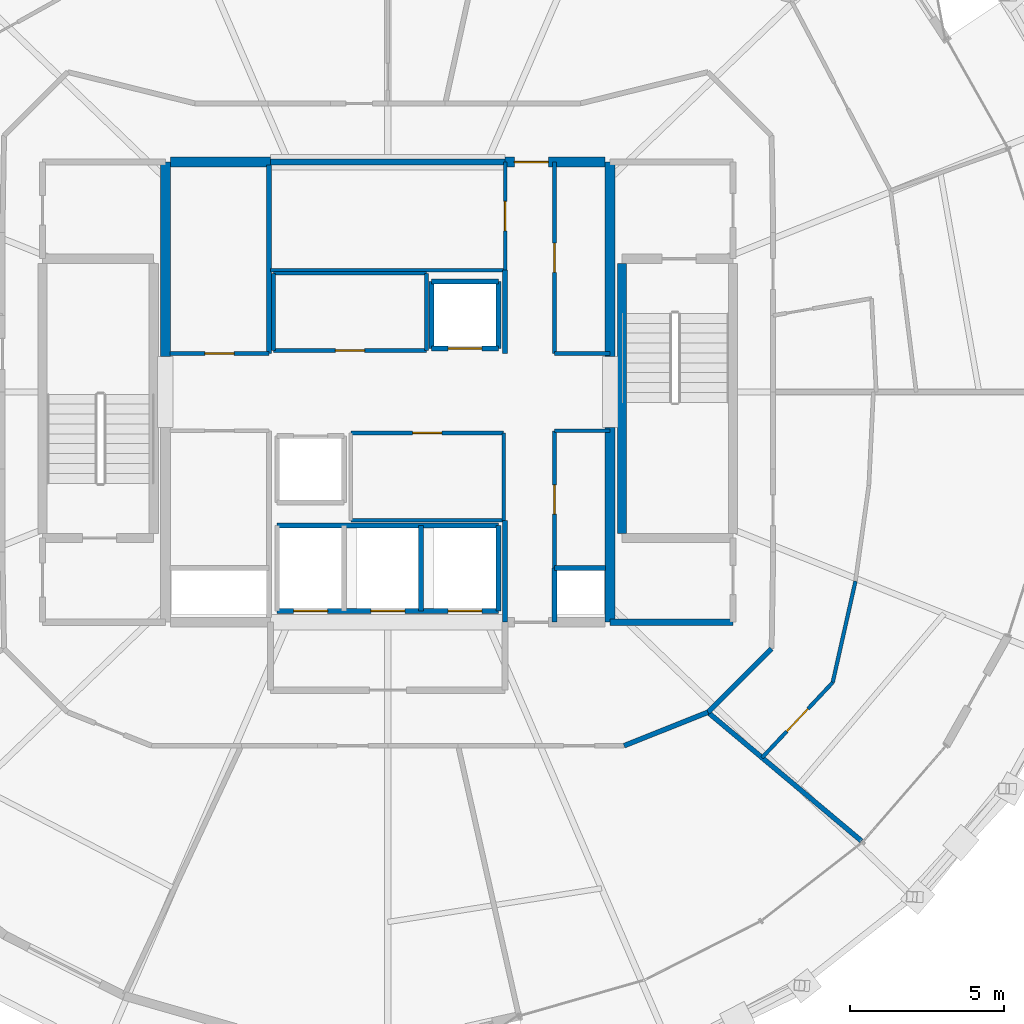
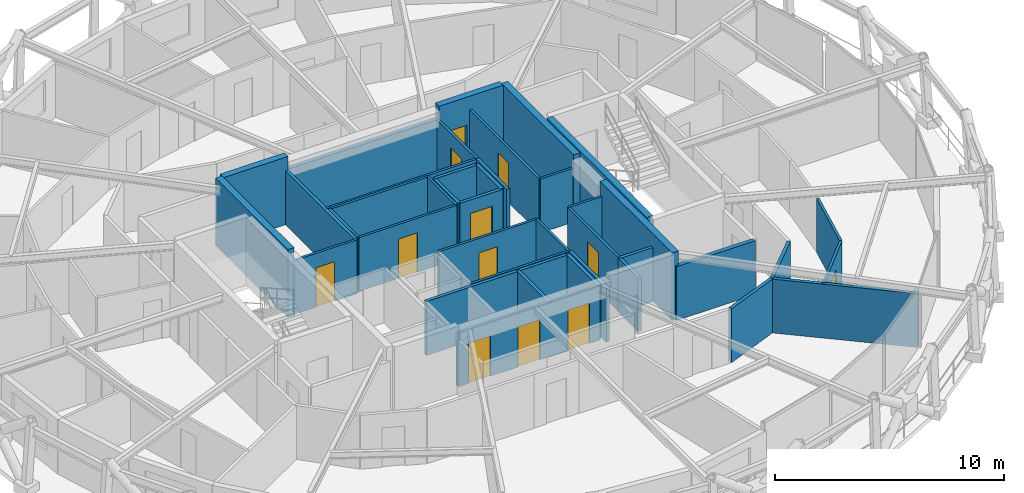
# One storey, part 14 of 18: 40 walls, 12 doors, 12 openings.
"""IFC4 building model written with IfcOpenShell, lengths in metres."""

from ifc_helpers import new_model, si_unit, direction, frame, frame_2d, origin, place, context, subcontext, project, spatial, rectangle, extrude, material, layer, layer_set, type_object, element, fill, save


model = new_model("IFC4")

# Units and contexts
model_context = context("Model", 3, precision=1e-05, world=origin(), true_north=direction((0.0, 1.0)))
body_context = subcontext(model_context, "Body", "Model", "MODEL_VIEW")
ifc_project = project(units=[si_unit("LENGTHUNIT", "METRE"), si_unit("AREAUNIT", "SQUARE_METRE"), si_unit("VOLUMEUNIT", "CUBIC_METRE"), si_unit("PLANEANGLEUNIT", "RADIAN"), si_unit("MASSUNIT", "GRAM", prefix="KILO")], contexts=[model_context])

# Site, building, storey
site_placement = place(None, origin())
site = spatial("IfcSite", under=ifc_project, at=site_placement, CompositionType="ELEMENT")
building_placement = place(site_placement, origin())
building = spatial("IfcBuilding", under=site, at=building_placement, Name="Veldorina Hangang Commons", CompositionType="ELEMENT")
storey_placement = place(building_placement, frame((0.0, 0.0, 232.800048828125)))
storey = spatial("IfcBuildingStorey", under=building, at=storey_placement, Name="L60", CompositionType="ELEMENT", Elevation=232.800048828125)

# Walls
ifc_material_1 = material(Name="Concrete C50/60", Category="concrete")
ifc_layer_1 = layer(ifc_material_1, 0.320068359375)
ifc_layer_set_1 = layer_set([ifc_layer_1], Name="Concrete C50/60")
wall_type_1 = type_object("IfcWallType", Name="CW-RC320-C50", PredefinedType="SHEAR", material=ifc_layer_set_1)
for number, where, z_axis, x_axis, name in (
    (1, (24.800048828125, 25.14990234375, 0.0), (0.0, 0.0, 1.0), (0.0, 1.0, 0.0), "L60 W north core shear wall"),
    (2, (39.199951171875, 16.550048828125, 0.0), (0.0, 0.0, 1.0), (0.0, 1.0, 0.0), "L60 E south core shear wall"),
    (3, (39.199951171875, 25.14990234375, 0.0), (0.0, 0.0, 1.0), (0.0, 1.0, 0.0), "L60 E north core shear wall"),
):
    element("IfcWall", number, at=place(storey_placement, frame(where, z_axis=z_axis, x_axis=x_axis)), inside=storey, type_object=wall_type_1, Name=name, PredefinedType="SHEAR", context=body_context, shape_type="SweptSolid", body=[
        extrude(rectangle(XDim=6.300048828125, YDim=0.320068359375, at=frame_2d((3.14990234375, 0.0))), origin(), (0.0, 0.0, 1.0), 3.599853515625),
    ])
wall_1_placement = place(storey_placement, frame((24.9599609375, 31.449951171875, 0.0), z_axis=(0.0, 0.0, 1.0), x_axis=(1.0, 0.0, 0.0)))
element("IfcWall", 4, at=wall_1_placement, inside=storey, type_object=wall_type_1, Name="L60 north-west core shear wall", PredefinedType="SHEAR", context=body_context, shape_type="SweptSolid", body=[
    extrude(rectangle(XDim=3.239990234375, YDim=0.320068359375, at=frame_2d((1.6201171875, 0.0))), origin(), (0.0, 0.0, 1.0), 3.599853515625),
])

# Wall, opening, door
wall_2_placement = place(storey_placement, frame((35.800048828125, 31.449951171875, 0.0), z_axis=(0.0, 0.0, 1.0), x_axis=(1.0, 0.0, 0.0)))
wall_2 = element("IfcWall", 5, at=wall_2_placement, inside=storey, type_object=wall_type_1, Name="L60 north-east core shear wall", PredefinedType="SHEAR", context=body_context, shape_type="SweptSolid", body=[
    extrude(rectangle(XDim=3.239990234375, YDim=0.320068359375, at=frame_2d((1.6201171875, 0.0))), origin(), (0.0, 0.0, 1.0), 3.599853515625),
])
opening_1_placement = place(wall_2_placement, frame((0.300048828125, 0.0, 0.0)))
opening_1 = element("IfcOpeningElement", 6, at=opening_1_placement, cuts=wall_2, Name="Opening D-08", PredefinedType="OPENING", context=body_context, shape_type="SweptSolid", body=[
    extrude(rectangle(XDim=1.10009765625, YDim=2.10009765625, at=frame_2d((0.550048828125, 1.050048828125))), frame((0.0, 0.169921875, 0.0), z_axis=(0.0, -1.0, 0.0), x_axis=(1.0, 0.0, 0.0)), (0.0, 0.0, 1.0), 0.340087890625),
])
ifc_material_2 = material(Name="Steel Fire-Rated Smoke Seal", Category="steel")
door_type_1 = type_object("IfcDoorType", Name="DR-FIRE-1100", OperationType="SINGLE_SWING_RIGHT", PredefinedType="DOOR", material=ifc_material_2)
door_1_placement = place(opening_1_placement, origin())
door_1 = element("IfcDoor", 7, at=door_1_placement, inside=storey, type_object=door_type_1, Name="L60 central lift lobby north corridor door", OperationType="SINGLE_SWING_LEFT", OverallHeight=2.10009765625, OverallWidth=1.10009765625, PredefinedType="DOOR", context=body_context, shape_type="SweptSolid", body=[
    extrude(rectangle(XDim=1.10009765625, YDim=2.10009765625, at=frame_2d((0.550048828125, 1.050048828125))), frame((0.0, 0.02490234375, 0.0), z_axis=(0.0, -1.0, 0.0), x_axis=(1.0, 0.0, 0.0)), (0.0, 0.0, 1.0), 0.050048828125),
])
fill(opening_1, door_1)

# Walls
ifc_layer_2 = layer(ifc_material_1, 0.300048828125)
ifc_layer_set_2 = layer_set([ifc_layer_2], Name="Concrete C50/60")
wall_type_2 = type_object("IfcWallType", Name="SW-STAIR-300", PredefinedType="SHEAR", material=ifc_layer_set_2)
wall_3_placement = place(storey_placement, frame((39.580078125, 19.429931640625, 0.0), z_axis=(0.0, 0.0, 1.0), x_axis=(0.0, 1.0, 0.0)))
element("IfcWall", 8, at=wall_3_placement, inside=storey, type_object=wall_type_2, Name="L60 ST2 inner stair shear wall", PredefinedType="SHEAR", context=body_context, shape_type="SweptSolid", body=[
    extrude(rectangle(XDim=8.739990234375, YDim=0.300048828125, at=frame_2d((4.3701171875, 0.0))), origin(), (0.0, 0.0, 1.0), 3.599853515625),
])
ifc_material_3 = material(Name="Gypsum Fire-Rated Twin Stud Wall", Category="gypsum")
ifc_layer_3 = layer(ifc_material_3, 0.159912109375)
ifc_layer_set_3 = layer_set([ifc_layer_3], Name="Gypsum Fire-Rated Twin Stud Wall")
wall_type_3 = type_object("IfcWallType", Name="WL-FIRE-160", PredefinedType="SOLIDWALL", material=ifc_layer_set_3)
wall_4_placement = place(storey_placement, frame((35.800048828125, 16.550048828125, 0.0), z_axis=(0.0, 0.0, 1.0), x_axis=(0.0, 1.0, 0.0)))
element("IfcWall", 9, at=wall_4_placement, inside=storey, type_object=wall_type_3, Name="L60 Lift passage SW wall 009", PredefinedType="SOLIDWALL", context=body_context, shape_type="SweptSolid", body=[
    extrude(rectangle(XDim=3.300048828125, YDim=0.159912109375, at=frame_2d((1.64990234375, 0.0))), origin(), (0.0, 0.0, 1.0), 2.869873046875),
])
wall_5_placement = place(storey_placement, frame((37.39990234375, 16.550048828125, 0.0), z_axis=(0.0, 0.0, 1.0), x_axis=(0.0, 1.0, 0.0)))
element("IfcWall", 10, at=wall_5_placement, inside=storey, type_object=wall_type_3, Name="L60 Lift passage SE stub 010", PredefinedType="SOLIDWALL", context=body_context, shape_type="SweptSolid", body=[
    extrude(rectangle(XDim=1.75, YDim=0.159912109375, at=frame_2d((0.875, 0.0))), origin(), (0.0, 0.0, 1.0), 2.869873046875),
])
wall_6_placement = place(storey_placement, frame((35.800048828125, 25.25, 0.0), z_axis=(0.0, 0.0, 1.0), x_axis=(0.0, 1.0, 0.0)))
element("IfcWall", 11, at=wall_6_placement, inside=storey, type_object=wall_type_3, Name="L60 Lift passage NW lower wall 011", PredefinedType="SOLIDWALL", context=body_context, shape_type="SweptSolid", body=[
    extrude(rectangle(XDim=2.699951171875, YDim=0.159912109375, at=frame_2d((1.35009765625, 0.0))), origin(), (0.0, 0.0, 1.0), 2.869873046875),
])

# Wall, opening, door
wall_7_placement = place(storey_placement, frame((33.419921875, 25.419921875, 0.0), z_axis=(0.0, 0.0, 1.0), x_axis=(1.0, 0.0, 0.0)))
wall_7 = element("IfcWall", 12, at=wall_7_placement, inside=storey, type_object=wall_type_3, Name="L60 Mid-high front shaft wall 015", PredefinedType="SOLIDWALL", context=body_context, shape_type="SweptSolid", body=[
    extrude(rectangle(XDim=2.16015625, YDim=0.159912109375, at=frame_2d((1.080078125, 0.0))), origin(), (0.0, 0.0, 1.0), 2.869873046875),
])
opening_2_placement = place(wall_7_placement, frame((0.530029296875, 0.0, 0.0)))
opening_2 = element("IfcOpeningElement", 13, at=opening_2_placement, cuts=wall_7, Name="Opening LD-01", PredefinedType="OPENING", context=body_context, shape_type="SweptSolid", body=[
    extrude(rectangle(XDim=1.10009765625, YDim=2.14990234375, at=frame_2d((0.550048828125, 1.074951171875))), frame((0.0, 0.08984375, 0.0), z_axis=(0.0, -1.0, 0.0), x_axis=(1.0, 0.0, 0.0)), (0.0, 0.0, 1.0), 0.179931640625),
])
ifc_material_4 = material(Name="Stainless Steel Brushed Lift Door", Category="steel")
door_type_2 = type_object("IfcDoorType", Name="DR-LIFT-1100", OperationType="SLIDING_TO_LEFT", PredefinedType="DOOR", material=ifc_material_4)
door_2_placement = place(opening_2_placement, origin())
door_2 = element("IfcDoor", 14, at=door_2_placement, inside=storey, type_object=door_type_2, Name="L60 Lift PL-H1 landing door 006", OperationType="SLIDING_TO_RIGHT", OverallHeight=2.14990234375, OverallWidth=1.10009765625, PredefinedType="DOOR", context=body_context, shape_type="SweptSolid", body=[
    extrude(rectangle(XDim=1.10009765625, YDim=2.14990234375, at=frame_2d((0.550048828125, 1.074951171875))), frame((0.0, 0.02490234375, 0.0), z_axis=(0.0, -1.0, 0.0), x_axis=(1.0, 0.0, 0.0)), (0.0, 0.0, 1.0), 0.050048828125),
])
fill(opening_2, door_2)

# Walls
for number, where, z_axis, x_axis, name in (
    (15, (33.419921875, 27.580078125, 0.0), (0.0, 0.0, 1.0), (1.0, 0.0, 0.0), "L60 Mid-high rear shaft wall 016"),
    (16, (33.419921875, 25.419921875, 0.0), (0.0, 0.0, 1.0), (0.0, 1.0, 0.0), "L60 PL-H1 west shaft wall 017"),
    (17, (35.580078125, 25.419921875, 0.0), (0.0, 0.0, 1.0), (0.0, 1.0, 0.0), "L60 PL-H1 east shaft wall 018"),
):
    element("IfcWall", number, at=place(storey_placement, frame(where, z_axis=z_axis, x_axis=x_axis)), inside=storey, type_object=wall_type_3, Name=name, PredefinedType="SOLIDWALL", context=body_context, shape_type="SweptSolid", body=[
        extrude(rectangle(XDim=2.16015625, YDim=0.159912109375, at=frame_2d((1.080078125, 0.0))), origin(), (0.0, 0.0, 1.0), 2.869873046875),
    ])

# Wall, openings, doors
wall_8_placement = place(storey_placement, frame((28.419921875, 16.919921875, 0.0), z_axis=(0.0, 0.0, 1.0), x_axis=(1.0, 0.0, 0.0)))
wall_8 = element("IfcWall", 18, at=wall_8_placement, inside=storey, type_object=wall_type_3, Name="L60 Emergency front shaft wall 023", PredefinedType="SOLIDWALL", context=body_context, shape_type="SweptSolid", body=[
    extrude(rectangle(XDim=7.16015625, YDim=0.159912109375, at=frame_2d((3.580078125, 0.0))), origin(), (0.0, 0.0, 1.0), 2.869873046875),
])
opening_3_placement = place(wall_8_placement, frame((0.530029296875, 0.0, 0.0)))
opening_3 = element("IfcOpeningElement", 19, at=opening_3_placement, cuts=wall_8, Name="Opening LD-03", PredefinedType="OPENING", context=body_context, shape_type="SweptSolid", body=[
    extrude(rectangle(XDim=1.10009765625, YDim=2.14990234375, at=frame_2d((0.550048828125, 1.074951171875))), frame((0.0, 0.08984375, 0.0), z_axis=(0.0, -1.0, 0.0), x_axis=(1.0, 0.0, 0.0)), (0.0, 0.0, 1.0), 0.179931640625),
])
opening_4_placement = place(wall_8_placement, frame((3.030029296875, 0.0, 0.0)))
opening_4 = element("IfcOpeningElement", 20, at=opening_4_placement, cuts=wall_8, Name="Opening LD-03", PredefinedType="OPENING", context=body_context, shape_type="SweptSolid", body=[
    extrude(rectangle(XDim=1.10009765625, YDim=2.14990234375, at=frame_2d((0.550048828125, 1.074951171875))), frame((0.0, 0.08984375, 0.0), z_axis=(0.0, -1.0, 0.0), x_axis=(1.0, 0.0, 0.0)), (0.0, 0.0, 1.0), 0.179931640625),
])
opening_5_placement = place(wall_8_placement, frame((5.530029296875, 0.0, 0.0)))
opening_5 = element("IfcOpeningElement", 21, at=opening_5_placement, cuts=wall_8, Name="Opening LD-03", PredefinedType="OPENING", context=body_context, shape_type="SweptSolid", body=[
    extrude(rectangle(XDim=1.10009765625, YDim=2.14990234375, at=frame_2d((0.550048828125, 1.074951171875))), frame((0.0, 0.08984375, 0.0), z_axis=(0.0, -1.0, 0.0), x_axis=(1.0, 0.0, 0.0)), (0.0, 0.0, 1.0), 0.179931640625),
])
ifc_material_5 = material(Name="Stainless Steel Firefighting Lift Door", Category="steel")
door_type_3 = type_object("IfcDoorType", Name="DR-LIFT-FF1100", OperationType="SLIDING_TO_RIGHT", PredefinedType="DOOR", material=ifc_material_5)
door_3_placement = place(opening_3_placement, origin())
door_3 = element("IfcDoor", 22, at=door_3_placement, inside=storey, type_object=door_type_3, Name="L60 Emergency lift FFL-1 landing door 008", OperationType="SLIDING_TO_RIGHT", OverallHeight=2.14990234375, OverallWidth=1.10009765625, PredefinedType="DOOR", context=body_context, shape_type="SweptSolid", body=[
    extrude(rectangle(XDim=1.10009765625, YDim=2.14990234375, at=frame_2d((0.550048828125, 1.074951171875))), frame((0.0, 0.02490234375, 0.0), z_axis=(0.0, -1.0, 0.0), x_axis=(1.0, 0.0, 0.0)), (0.0, 0.0, 1.0), 0.050048828125),
])
fill(opening_3, door_3)
door_4_placement = place(opening_4_placement, origin())
door_4 = element("IfcDoor", 23, at=door_4_placement, inside=storey, type_object=door_type_3, Name="L60 Emergency lift FFL-2 landing door 009", OperationType="SLIDING_TO_RIGHT", OverallHeight=2.14990234375, OverallWidth=1.10009765625, PredefinedType="DOOR", context=body_context, shape_type="SweptSolid", body=[
    extrude(rectangle(XDim=1.10009765625, YDim=2.14990234375, at=frame_2d((0.550048828125, 1.074951171875))), frame((0.0, 0.02490234375, 0.0), z_axis=(0.0, -1.0, 0.0), x_axis=(1.0, 0.0, 0.0)), (0.0, 0.0, 1.0), 0.050048828125),
])
fill(opening_4, door_4)
door_5_placement = place(opening_5_placement, origin())
door_5 = element("IfcDoor", 24, at=door_5_placement, inside=storey, type_object=door_type_3, Name="L60 Emergency lift EVL-1 landing door 010", OperationType="SLIDING_TO_RIGHT", OverallHeight=2.14990234375, OverallWidth=1.10009765625, PredefinedType="DOOR", context=body_context, shape_type="SweptSolid", body=[
    extrude(rectangle(XDim=1.10009765625, YDim=2.14990234375, at=frame_2d((0.550048828125, 1.074951171875))), frame((0.0, 0.02490234375, 0.0), z_axis=(0.0, -1.0, 0.0), x_axis=(1.0, 0.0, 0.0)), (0.0, 0.0, 1.0), 0.050048828125),
])
fill(opening_5, door_5)

# Walls
wall_9_placement = place(storey_placement, frame((28.419921875, 19.679931640625, 0.0), z_axis=(0.0, 0.0, 1.0), x_axis=(1.0, 0.0, 0.0)))
element("IfcWall", 25, at=wall_9_placement, inside=storey, type_object=wall_type_3, Name="L60 Emergency rear shaft wall 024", PredefinedType="SOLIDWALL", context=body_context, shape_type="SweptSolid", body=[
    extrude(rectangle(XDim=7.16015625, YDim=0.159912109375, at=frame_2d((3.580078125, 0.0))), origin(), (0.0, 0.0, 1.0), 2.869873046875),
])
for number, where, z_axis, x_axis, name in (
    (26, (33.080078125, 16.919921875, 0.0), (0.0, 0.0, 1.0), (0.0, 1.0, 0.0), "L60 FFL-2 east shaft wall 027"),
    (27, (35.580078125, 16.919921875, 0.0), (0.0, 0.0, 1.0), (0.0, 1.0, 0.0), "L60 EVL-1 east shaft wall 028"),
):
    element("IfcWall", number, at=place(storey_placement, frame(where, z_axis=z_axis, x_axis=x_axis)), inside=storey, type_object=wall_type_3, Name=name, PredefinedType="SOLIDWALL", context=body_context, shape_type="SweptSolid", body=[
        extrude(rectangle(XDim=2.760009765625, YDim=0.159912109375, at=frame_2d((1.3798828125, 0.0))), origin(), (0.0, 0.0, 1.0), 2.869873046875),
    ])
wall_10_placement = place(storey_placement, frame((37.39990234375, 18.300048828125, 0.0), z_axis=(0.0, 0.0, 1.0), x_axis=(1.0, 0.0, 0.0)))
element("IfcWall", 28, at=wall_10_placement, inside=storey, type_object=wall_type_3, Name="L60 Plumbing riser wall 042", PredefinedType="SOLIDWALL", context=body_context, shape_type="SweptSolid", body=[
    extrude(rectangle(XDim=1.650146484375, YDim=0.159912109375, at=frame_2d((0.8251953125, 0.0))), origin(), (0.0, 0.0, 1.0), 2.869873046875),
])
wall_11_placement = place(storey_placement, frame((28.14990234375, 25.25, 0.0), z_axis=(0.0, 0.0, 1.0), x_axis=(0.0, 1.0, 0.0)))
element("IfcWall", 29, at=wall_11_placement, inside=storey, type_object=wall_type_3, Name="L60 NW core inner wall 043", PredefinedType="SOLIDWALL", context=body_context, shape_type="SweptSolid", body=[
    extrude(rectangle(XDim=6.10009765625, YDim=0.159912109375, at=frame_2d((3.050048828125, 0.0))), origin(), (0.0, 0.0, 1.0), 2.869873046875),
])
wall_12_placement = place(storey_placement, frame((39.650634765625, 12.550048828125, 0.0), z_axis=(0.0, 0.0, 1.0), x_axis=(0.92856882165, 0.371160266542, 0.0)))
element("IfcWall", 30, at=wall_12_placement, inside=storey, type_object=wall_type_3, Name="L60 Compact collar outer wall 27 077", PredefinedType="SOLIDWALL", context=body_context, shape_type="SweptSolid", body=[
    extrude(rectangle(XDim=2.923095703125, YDim=0.159912109375, at=frame_2d((1.46142578125, 0.0))), origin(), (0.0, 0.0, 1.0), 2.869873046875),
])
wall_13_placement = place(storey_placement, frame((42.364990234375, 13.635009765625, 0.0), z_axis=(0.0, 0.0, 1.0), x_axis=(0.707106781187, 0.707106781187, 0.0)))
element("IfcWall", 31, at=wall_13_placement, inside=storey, type_object=wall_type_3, Name="L60 Compact collar outer wall 28 078", PredefinedType="SOLIDWALL", context=body_context, shape_type="SweptSolid", body=[
    extrude(rectangle(XDim=2.915771484375, YDim=0.159912109375, at=frame_2d((1.4580078125, 0.0))), origin(), (0.0, 0.0, 1.0), 2.869873046875),
])
wall_14_placement = place(storey_placement, frame((42.364990234375, 13.635009765625, 0.0), z_axis=(0.0, 0.0, 1.0), x_axis=(0.766438880931, -0.642317243889, 0.0)))
element("IfcWall", 32, at=wall_14_placement, inside=storey, type_object=wall_type_3, Name="L60 Unit party wall 28 082", PredefinedType="SOLIDWALL", context=body_context, shape_type="SweptSolid", body=[
    extrude(rectangle(XDim=6.489013671875, YDim=0.159912109375, at=frame_2d((3.24462890625, 0.0))), origin(), (0.0, 0.0, 1.0), 2.869873046875),
])
ifc_material_6 = material(Name="Concrete Blockwork Fire Wall C30/37", Category="masonry")
ifc_layer_4 = layer(ifc_material_6, 0.199951171875)
ifc_layer_set_4 = layer_set([ifc_layer_4], Name="Concrete Blockwork Fire Wall C30/37")
wall_type_4 = type_object("IfcWallType", Name="WL-FIRE-200", PredefinedType="SOLIDWALL", material=ifc_layer_set_4)
wall_15_placement = place(storey_placement, frame((39.199951171875, 16.550048828125, 0.0), z_axis=(0.0, 0.0, 1.0), x_axis=(1.0, 0.0, 0.0)))
element("IfcWall", 33, at=wall_15_placement, inside=storey, type_object=wall_type_4, Name="L60 SE core room south wall 008", PredefinedType="SOLIDWALL", context=body_context, shape_type="SweptSolid", body=[
    extrude(rectangle(XDim=3.97998046875, YDim=0.199951171875, at=frame_2d((1.989990234375, 0.0))), origin(), (0.0, 0.0, 1.0), 2.869873046875),
])
wall_16_placement = place(storey_placement, frame((28.199951171875, 31.449951171875, 0.0), z_axis=(0.0, 0.0, 1.0), x_axis=(1.0, 0.0, 0.0)))
element("IfcWall", 34, at=wall_16_placement, inside=storey, type_object=wall_type_4, Name="L60 Merged north core wall 029", PredefinedType="SOLIDWALL", context=body_context, shape_type="SweptSolid", body=[
    extrude(rectangle(XDim=7.60009765625, YDim=0.199951171875, at=frame_2d((3.800048828125, 0.0))), origin(), (0.0, 0.0, 1.0), 2.869873046875),
])
ifc_material_7 = material(Name="Gypsum Acoustic Stud Partition", Category="gypsum")
ifc_layer_5 = layer(ifc_material_7, 0.1201171875)
ifc_layer_set_5 = layer_set([ifc_layer_5], Name="Gypsum Acoustic Stud Partition")
wall_type_5 = type_object("IfcWallType", Name="WL-PART-120", PredefinedType="PARTITIONING", material=ifc_layer_set_5)
wall_17_placement = place(storey_placement, frame((28.199951171875, 27.949951171875, 0.0), z_axis=(0.0, 0.0, 1.0), x_axis=(1.0, 0.0, 0.0)))
element("IfcWall", 35, at=wall_17_placement, inside=storey, type_object=wall_type_5, Name="L60 Merged north south wall 030", PredefinedType="PARTITIONING", context=body_context, shape_type="SweptSolid", body=[
    extrude(rectangle(XDim=7.60009765625, YDim=0.1201171875, at=frame_2d((3.800048828125, 0.0))), origin(), (0.0, 0.0, 1.0), 2.869873046875),
])

# Wall, opening, door
wall_18_placement = place(storey_placement, frame((35.800048828125, 27.949951171875, 0.0), z_axis=(0.0, 0.0, 1.0), x_axis=(0.0, 1.0, 0.0)))
wall_18 = element("IfcWall", 36, at=wall_18_placement, inside=storey, type_object=wall_type_5, Name="L60 Merged north east wall 031", PredefinedType="PARTITIONING", context=body_context, shape_type="SweptSolid", body=[
    extrude(rectangle(XDim=3.5, YDim=0.1201171875, at=frame_2d((1.75, 0.0))), origin(), (0.0, 0.0, 1.0), 2.869873046875),
])
opening_6_placement = place(wall_18_placement, frame((1.27490234375, 0.0, 0.0)))
opening_6 = element("IfcOpeningElement", 37, at=opening_6_placement, cuts=wall_18, Name="Opening D-02", PredefinedType="OPENING", context=body_context, shape_type="SweptSolid", body=[
    extrude(rectangle(XDim=0.949951171875, YDim=2.10009765625, at=frame_2d((0.47509765625, 1.050048828125))), frame((0.0, 0.070068359375, 0.0), z_axis=(0.0, -1.0, 0.0), x_axis=(1.0, 0.0, 0.0)), (0.0, 0.0, 1.0), 0.14013671875),
])
ifc_material_8 = material(Name="Timber Solid Core Acoustic", Category="wood")
door_type_4 = type_object("IfcDoorType", Name="DR-INT-950", OperationType="SINGLE_SWING_LEFT", PredefinedType="DOOR", material=ifc_material_8)
door_6_placement = place(opening_6_placement, origin())
door_6 = element("IfcDoor", 38, at=door_6_placement, inside=storey, type_object=door_type_4, Name="L60 Merged north room lobby door 011", OperationType="SINGLE_SWING_LEFT", OverallHeight=2.10009765625, OverallWidth=0.949951171875, PredefinedType="DOOR", context=body_context, shape_type="SweptSolid", body=[
    extrude(rectangle(XDim=0.949951171875, YDim=2.10009765625, at=frame_2d((0.47509765625, 1.050048828125))), frame((0.0, 0.02490234375, 0.0), z_axis=(0.0, -1.0, 0.0), x_axis=(1.0, 0.0, 0.0)), (0.0, 0.0, 1.0), 0.050048828125),
])
fill(opening_6, door_6)

wall_19_placement = place(storey_placement, frame((28.300048828125, 25.35009765625, 0.0), z_axis=(0.0, 0.0, 1.0), x_axis=(1.0, 0.0, 0.0)))
wall_19 = element("IfcWall", 39, at=wall_19_placement, inside=storey, type_object=wall_type_5, Name="L60 Merged mid-bank south wall 032", PredefinedType="PARTITIONING", context=body_context, shape_type="SweptSolid", body=[
    extrude(rectangle(XDim=4.949951171875, YDim=0.1201171875, at=frame_2d((2.47509765625, 0.0))), origin(), (0.0, 0.0, 1.0), 2.869873046875),
])
opening_7_placement = place(wall_19_placement, frame((2.0, 0.0, 0.0)))
opening_7 = element("IfcOpeningElement", 40, at=opening_7_placement, cuts=wall_19, Name="Opening D-02", PredefinedType="OPENING", context=body_context, shape_type="SweptSolid", body=[
    extrude(rectangle(XDim=0.949951171875, YDim=2.10009765625, at=frame_2d((0.47509765625, 1.050048828125))), frame((0.0, 0.070068359375, 0.0), z_axis=(0.0, -1.0, 0.0), x_axis=(1.0, 0.0, 0.0)), (0.0, 0.0, 1.0), 0.14013671875),
])
door_7_placement = place(opening_7_placement, origin())
door_7 = element("IfcDoor", 41, at=door_7_placement, inside=storey, type_object=door_type_4, Name="L60 Quiet study room door 012", OperationType="SINGLE_SWING_RIGHT", OverallHeight=2.10009765625, OverallWidth=0.949951171875, PredefinedType="DOOR", context=body_context, shape_type="SweptSolid", body=[
    extrude(rectangle(XDim=0.949951171875, YDim=2.10009765625, at=frame_2d((0.47509765625, 1.050048828125))), frame((0.0, 0.02490234375, 0.0), z_axis=(0.0, -1.0, 0.0), x_axis=(1.0, 0.0, 0.0)), (0.0, 0.0, 1.0), 0.050048828125),
])
fill(opening_7, door_7)

# Walls
wall_20_placement = place(storey_placement, frame((28.300048828125, 27.85009765625, 0.0), z_axis=(0.0, 0.0, 1.0), x_axis=(1.0, 0.0, 0.0)))
element("IfcWall", 42, at=wall_20_placement, inside=storey, type_object=wall_type_5, Name="L60 Merged mid-bank north wall 033", PredefinedType="PARTITIONING", context=body_context, shape_type="SweptSolid", body=[
    extrude(rectangle(XDim=4.949951171875, YDim=0.1201171875, at=frame_2d((2.47509765625, 0.0))), origin(), (0.0, 0.0, 1.0), 2.869873046875),
])
for number, where, z_axis, x_axis, name in (
    (43, (28.300048828125, 25.35009765625, 0.0), (0.0, 0.0, 1.0), (0.0, 1.0, 0.0), "L60 Merged mid-bank west wall 034"),
    (44, (33.25, 25.35009765625, 0.0), (0.0, 0.0, 1.0), (0.0, 1.0, 0.0), "L60 Merged mid-bank east wall 035"),
):
    element("IfcWall", number, at=place(storey_placement, frame(where, z_axis=z_axis, x_axis=x_axis)), inside=storey, type_object=wall_type_5, Name=name, PredefinedType="PARTITIONING", context=body_context, shape_type="SweptSolid", body=[
        extrude(rectangle(XDim=2.5, YDim=0.1201171875, at=frame_2d((1.25, 0.0))), origin(), (0.0, 0.0, 1.0), 2.869873046875),
    ])

# Wall, opening, door
wall_21_placement = place(storey_placement, frame((30.800048828125, 22.679931640625, 0.0), z_axis=(0.0, 0.0, 1.0), x_axis=(1.0, 0.0, 0.0)))
wall_21 = element("IfcWall", 45, at=wall_21_placement, inside=storey, type_object=wall_type_5, Name="L60 Merged shuttle north wall 036", PredefinedType="PARTITIONING", context=body_context, shape_type="SweptSolid", body=[
    extrude(rectangle(XDim=4.949951171875, YDim=0.1201171875, at=frame_2d((2.47509765625, 0.0))), origin(), (0.0, 0.0, 1.0), 2.869873046875),
])
opening_8_placement = place(wall_21_placement, frame((2.0, 0.0, 0.0)))
opening_8 = element("IfcOpeningElement", 46, at=opening_8_placement, cuts=wall_21, Name="Opening D-02", PredefinedType="OPENING", context=body_context, shape_type="SweptSolid", body=[
    extrude(rectangle(XDim=0.949951171875, YDim=2.10009765625, at=frame_2d((0.47509765625, 1.050048828125))), frame((0.0, 0.070068359375, 0.0), z_axis=(0.0, -1.0, 0.0), x_axis=(1.0, 0.0, 0.0)), (0.0, 0.0, 1.0), 0.14013671875),
])
door_8_placement = place(opening_8_placement, origin())
door_8 = element("IfcDoor", 47, at=door_8_placement, inside=storey, type_object=door_type_4, Name="L60 Floor tea pantry door 013", OperationType="SINGLE_SWING_LEFT", OverallHeight=2.10009765625, OverallWidth=0.949951171875, PredefinedType="DOOR", context=body_context, shape_type="SweptSolid", body=[
    extrude(rectangle(XDim=0.949951171875, YDim=2.10009765625, at=frame_2d((0.47509765625, 1.050048828125))), frame((0.0, 0.02490234375, 0.0), z_axis=(0.0, -1.0, 0.0), x_axis=(1.0, 0.0, 0.0)), (0.0, 0.0, 1.0), 0.050048828125),
])
fill(opening_8, door_8)

# Walls
wall_22_placement = place(storey_placement, frame((30.800048828125, 19.85009765625, 0.0), z_axis=(0.0, 0.0, 1.0), x_axis=(1.0, 0.0, 0.0)))
element("IfcWall", 48, at=wall_22_placement, inside=storey, type_object=wall_type_5, Name="L60 Merged shuttle south wall 037", PredefinedType="PARTITIONING", context=body_context, shape_type="SweptSolid", body=[
    extrude(rectangle(XDim=4.949951171875, YDim=0.1201171875, at=frame_2d((2.47509765625, 0.0))), origin(), (0.0, 0.0, 1.0), 2.869873046875),
])
wall_23_placement = place(storey_placement, frame((35.75, 19.85009765625, 0.0), z_axis=(0.0, 0.0, 1.0), x_axis=(0.0, 1.0, 0.0)))
element("IfcWall", 49, at=wall_23_placement, inside=storey, type_object=wall_type_5, Name="L60 Merged shuttle east wall 039", PredefinedType="PARTITIONING", context=body_context, shape_type="SweptSolid", body=[
    extrude(rectangle(XDim=2.829833984375, YDim=0.1201171875, at=frame_2d((1.4150390625, 0.0))), origin(), (0.0, 0.0, 1.0), 2.869873046875),
])

# Wall, opening, door
wall_24_placement = place(storey_placement, frame((24.949951171875, 25.25, 0.0), z_axis=(0.0, 0.0, 1.0), x_axis=(1.0, 0.0, 0.0)))
wall_24 = element("IfcWall", 50, at=wall_24_placement, inside=storey, type_object=wall_type_5, Name="L60 NW service south wall 044", PredefinedType="PARTITIONING", context=body_context, shape_type="SweptSolid", body=[
    extrude(rectangle(XDim=3.199951171875, YDim=0.1201171875, at=frame_2d((1.60009765625, 0.0))), origin(), (0.0, 0.0, 1.0), 2.869873046875),
])
opening_9_placement = place(wall_24_placement, frame((1.125, 0.0, 0.0)))
opening_9 = element("IfcOpeningElement", 51, at=opening_9_placement, cuts=wall_24, Name="Opening D-02", PredefinedType="OPENING", context=body_context, shape_type="SweptSolid", body=[
    extrude(rectangle(XDim=0.949951171875, YDim=2.10009765625, at=frame_2d((0.47509765625, 1.050048828125))), frame((0.0, 0.070068359375, 0.0), z_axis=(0.0, -1.0, 0.0), x_axis=(1.0, 0.0, 0.0)), (0.0, 0.0, 1.0), 0.14013671875),
])
door_9_placement = place(opening_9_placement, origin())
door_9 = element("IfcDoor", 52, at=door_9_placement, inside=storey, type_object=door_type_4, Name="L60 Housekeeping store door 014", OperationType="SINGLE_SWING_RIGHT", OverallHeight=2.10009765625, OverallWidth=0.949951171875, PredefinedType="DOOR", context=body_context, shape_type="SweptSolid", body=[
    extrude(rectangle(XDim=0.949951171875, YDim=2.10009765625, at=frame_2d((0.47509765625, 1.050048828125))), frame((0.0, 0.02490234375, 0.0), z_axis=(0.0, -1.0, 0.0), x_axis=(1.0, 0.0, 0.0)), (0.0, 0.0, 1.0), 0.050048828125),
])
fill(opening_9, door_9)

wall_25_placement = place(storey_placement, frame((37.39990234375, 25.25, 0.0), z_axis=(0.0, 0.0, 1.0), x_axis=(0.0, 1.0, 0.0)))
wall_25 = element("IfcWall", 53, at=wall_25_placement, inside=storey, type_object=wall_type_5, Name="L60 NE strip lobby wall 046", PredefinedType="PARTITIONING", context=body_context, shape_type="SweptSolid", body=[
    extrude(rectangle(XDim=6.199951171875, YDim=0.1201171875, at=frame_2d((3.10009765625, 0.0))), origin(), (0.0, 0.0, 1.0), 2.869873046875),
])
opening_10_placement = place(wall_25_placement, frame((2.625, 0.0, 0.0)))
opening_10 = element("IfcOpeningElement", 54, at=opening_10_placement, cuts=wall_25, Name="Opening D-02", PredefinedType="OPENING", context=body_context, shape_type="SweptSolid", body=[
    extrude(rectangle(XDim=0.949951171875, YDim=2.10009765625, at=frame_2d((0.47509765625, 1.050048828125))), frame((0.0, 0.070068359375, 0.0), z_axis=(0.0, -1.0, 0.0), x_axis=(1.0, 0.0, 0.0)), (0.0, 0.0, 1.0), 0.14013671875),
])
door_10_placement = place(opening_10_placement, origin())
door_10 = element("IfcDoor", 55, at=door_10_placement, inside=storey, type_object=door_type_4, Name="L60 Comms room door 016", OperationType="SINGLE_SWING_RIGHT", OverallHeight=2.10009765625, OverallWidth=0.949951171875, PredefinedType="DOOR", context=body_context, shape_type="SweptSolid", body=[
    extrude(rectangle(XDim=0.949951171875, YDim=2.10009765625, at=frame_2d((0.47509765625, 1.050048828125))), frame((0.0, 0.02490234375, 0.0), z_axis=(0.0, -1.0, 0.0), x_axis=(1.0, 0.0, 0.0)), (0.0, 0.0, 1.0), 0.050048828125),
])
fill(opening_10, door_10)

# Wall
wall_26_placement = place(storey_placement, frame((37.39990234375, 25.25, 0.0), z_axis=(0.0, 0.0, 1.0), x_axis=(1.0, 0.0, 0.0)))
element("IfcWall", 56, at=wall_26_placement, inside=storey, type_object=wall_type_5, Name="L60 NE strip south return wall 047", PredefinedType="PARTITIONING", context=body_context, shape_type="SweptSolid", body=[
    extrude(rectangle(XDim=1.800048828125, YDim=0.1201171875, at=frame_2d((0.89990234375, 0.0))), origin(), (0.0, 0.0, 1.0), 2.869873046875),
])

# Wall, opening, door
wall_27_placement = place(storey_placement, frame((37.39990234375, 18.300048828125, 0.0), z_axis=(0.0, 0.0, 1.0), x_axis=(0.0, 1.0, 0.0)))
wall_27 = element("IfcWall", 57, at=wall_27_placement, inside=storey, type_object=wall_type_5, Name="L60 SE strip lobby wall 048", PredefinedType="PARTITIONING", context=body_context, shape_type="SweptSolid", body=[
    extrude(rectangle(XDim=4.449951171875, YDim=0.1201171875, at=frame_2d((2.22509765625, 0.0))), origin(), (0.0, 0.0, 1.0), 2.869873046875),
])
opening_11_placement = place(wall_27_placement, frame((1.75, 0.0, 0.0)))
opening_11 = element("IfcOpeningElement", 58, at=opening_11_placement, cuts=wall_27, Name="Opening D-02", PredefinedType="OPENING", context=body_context, shape_type="SweptSolid", body=[
    extrude(rectangle(XDim=0.949951171875, YDim=2.10009765625, at=frame_2d((0.47509765625, 1.050048828125))), frame((0.0, 0.070068359375, 0.0), z_axis=(0.0, -1.0, 0.0), x_axis=(1.0, 0.0, 0.0)), (0.0, 0.0, 1.0), 0.14013671875),
])
door_11_placement = place(opening_11_placement, origin())
door_11 = element("IfcDoor", 59, at=door_11_placement, inside=storey, type_object=door_type_4, Name="L60 BMS closet door 017", OperationType="SINGLE_SWING_LEFT", OverallHeight=2.10009765625, OverallWidth=0.949951171875, PredefinedType="DOOR", context=body_context, shape_type="SweptSolid", body=[
    extrude(rectangle(XDim=0.949951171875, YDim=2.10009765625, at=frame_2d((0.47509765625, 1.050048828125))), frame((0.0, 0.02490234375, 0.0), z_axis=(0.0, -1.0, 0.0), x_axis=(1.0, 0.0, 0.0)), (0.0, 0.0, 1.0), 0.050048828125),
])
fill(opening_11, door_11)

# Wall
wall_28_placement = place(storey_placement, frame((37.39990234375, 22.75, 0.0), z_axis=(0.0, 0.0, 1.0), x_axis=(1.0, 0.0, 0.0)))
element("IfcWall", 60, at=wall_28_placement, inside=storey, type_object=wall_type_5, Name="L60 SE strip north return wall 049", PredefinedType="PARTITIONING", context=body_context, shape_type="SweptSolid", body=[
    extrude(rectangle(XDim=1.800048828125, YDim=0.1201171875, at=frame_2d((0.89990234375, 0.0))), origin(), (0.0, 0.0, 1.0), 2.869873046875),
])

# Wall, opening, door
wall_29_placement = place(storey_placement, frame((44.119140625, 12.1650390625, 0.0), z_axis=(0.0, 0.0, 1.0), x_axis=(0.684903797097, 0.728633507823, 0.0)))
wall_29 = element("IfcWall", 61, at=wall_29_placement, inside=storey, type_object=wall_type_5, Name="L60 Lounge alcove split 0 083", PredefinedType="PARTITIONING", context=body_context, shape_type="SweptSolid", body=[
    extrude(rectangle(XDim=3.338623046875, YDim=0.1201171875, at=frame_2d((1.66943359375, 0.0))), origin(), (0.0, 0.0, 1.0), 2.869873046875),
])
opening_12_placement = place(wall_29_placement, frame((1.169189453125, 0.0, 0.0)))
opening_12 = element("IfcOpeningElement", 62, at=opening_12_placement, cuts=wall_29, Name="Opening D-05", PredefinedType="OPENING", context=body_context, shape_type="SweptSolid", body=[
    extrude(rectangle(XDim=1.0, YDim=2.10009765625, at=frame_2d((0.5, 1.050048828125))), frame((0.0, 0.070068359375, 0.0), z_axis=(0.0, -1.0, 0.0), x_axis=(1.0, 0.0, 0.0)), (0.0, 0.0, 1.0), 0.14013671875),
])
door_type_5 = type_object("IfcDoorType", Name="DR-INT-1000", OperationType="SINGLE_SWING_RIGHT", PredefinedType="DOOR", material=ifc_material_8)
door_12_placement = place(opening_12_placement, origin())
door_12 = element("IfcDoor", 63, at=door_12_placement, inside=storey, type_object=door_type_5, Name="L60 Commons lounge door 019", OperationType="SINGLE_SWING_LEFT", OverallHeight=2.10009765625, OverallWidth=1.0, PredefinedType="DOOR", context=body_context, shape_type="SweptSolid", body=[
    extrude(rectangle(XDim=1.0, YDim=2.10009765625, at=frame_2d((0.5, 1.050048828125))), frame((0.0, 0.02490234375, 0.0), z_axis=(0.0, -1.0, 0.0), x_axis=(1.0, 0.0, 0.0)), (0.0, 0.0, 1.0), 0.050048828125),
])
fill(opening_12, door_12)

# Wall
wall_30_placement = place(storey_placement, frame((46.40576171875, 14.59765625, 0.0), z_axis=(0.0, 0.0, 1.0), x_axis=(0.219303315939, 0.975656730422, 0.0)))
element("IfcWall", 64, at=wall_30_placement, inside=storey, type_object=wall_type_5, Name="L60 Lounge alcove split 1 084", PredefinedType="PARTITIONING", context=body_context, shape_type="SweptSolid", body=[
    extrude(rectangle(XDim=3.365478515625, YDim=0.1201171875, at=frame_2d((1.6826171875, 0.0))), origin(), (0.0, 0.0, 1.0), 2.869873046875),
])

save(model, "model.ifc")
